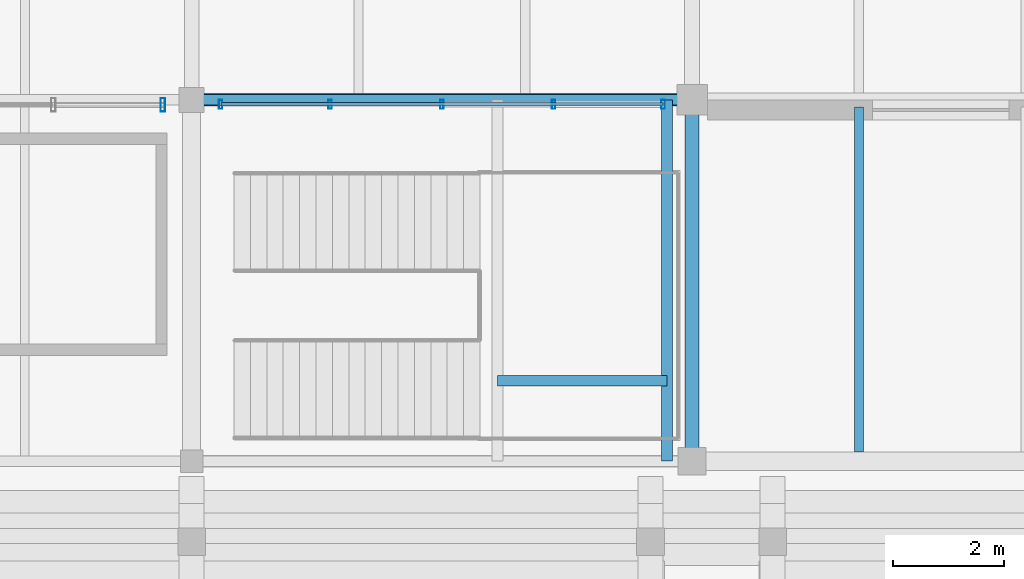
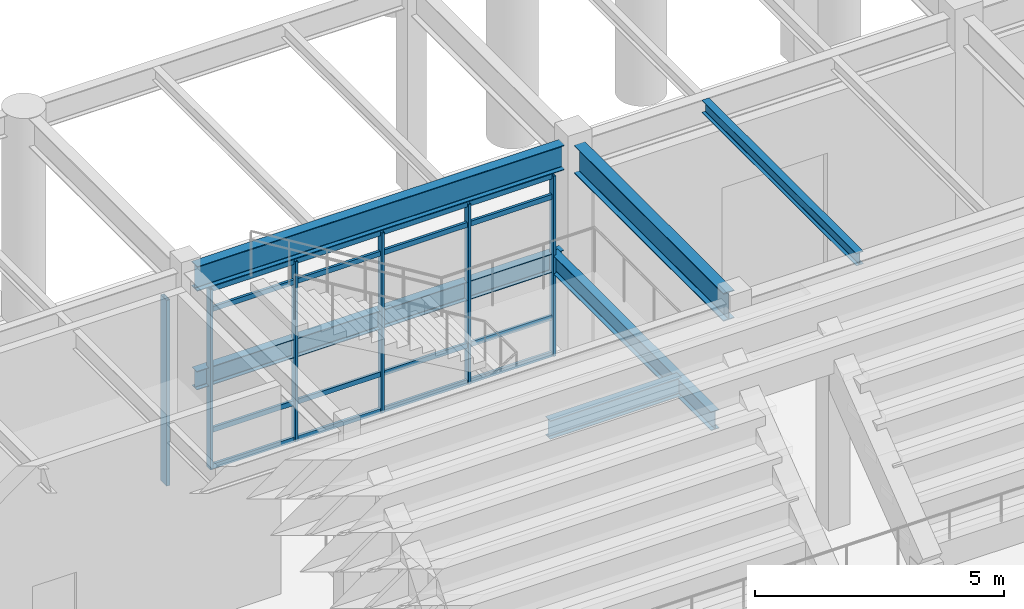
# One storey, part 71 of 203: 10 members, 6 beams, 2 elements without a shape of their own.
"""IFC4 building model written with IfcOpenShell, lengths in metres."""

from ifc_helpers import new_model, si_unit, direction, frame, origin, origin_2d, place, context, subcontext, project, spatial, hollow_rectangle, i_section, extrude, material, material_profile, profile_set, type_object, element, aggregate, save


model = new_model("IFC4")

# Units and contexts
model_context = context("Model", 3, precision=1e-05, world=origin(), true_north=direction((0.0, 1.0)))
body_context = subcontext(model_context, "Body", "Model", "MODEL_VIEW")
ifc_project = project(units=[si_unit("LENGTHUNIT", "METRE"), si_unit("AREAUNIT", "SQUARE_METRE"), si_unit("VOLUMEUNIT", "CUBIC_METRE"), si_unit("PLANEANGLEUNIT", "RADIAN"), si_unit("MASSUNIT", "GRAM", prefix="KILO"), si_unit("THERMODYNAMICTEMPERATUREUNIT", "KELVIN"), si_unit("POWERUNIT", "WATT")], contexts=[model_context])

# Site, building, storey
site_placement = place(None, origin())
site = spatial("IfcSite", under=ifc_project, at=site_placement, CompositionType="ELEMENT")
building_placement = place(site_placement, origin())
building = spatial("IfcBuilding", under=site, at=building_placement, Name="Tepalcoro Natatorium and Aquatics Centre", CompositionType="ELEMENT")
storey_placement = place(building_placement, origin())
storey = spatial("IfcBuildingStorey", under=building, at=storey_placement, Name="L00", CompositionType="ELEMENT", Elevation=0.0)

# Beams
ifc_material_1 = material(Name="Steel ASTM A992 Grade 50 (Fy 345 MPa)", Category="steel")
ifc_material_profile_1 = material_profile(ifc_material_1, i_section(OverallWidth=0.19091796875, OverallDepth=0.45703125, WebThickness=0.009033203125, FlangeThickness=0.013916015625, FilletRadius=0.013916015625, at=origin_2d()), Name="W18X50")
ifc_profile_set_1 = profile_set([ifc_material_profile_1], Name="Steel ASTM A992 Grade 50 (Fy 345 MPa)")
beam_type_1 = type_object("IfcBeamType", Name="BM_W18x50", PredefinedType="BEAM", material=ifc_profile_set_1)
beam_1_placement = place(storey_placement, frame((71.2099609375, 65.5, 2.271484375), z_axis=(1.0, 0.0, 0.0), x_axis=(0.0, 1.0, 0.0)))
element("IfcBeam", 1, at=beam_1_placement, inside=storey, type_object=beam_type_1, Name="Vomitory Stair Mid-Height Grid Header NW-N", PredefinedType="BEAM", context=body_context, shape_type="SweptSolid", body=[
    extrude(i_section(OverallWidth=0.19091796875, OverallDepth=0.45703125, WebThickness=0.009033203125, FlangeThickness=0.013916015625, FilletRadius=0.013916015625, at=origin_2d()), origin(), (0.0, 0.0, 1.0), 8.530029296875),
])
beam_2_placement = place(storey_placement, frame((79.550048828125, 59.001953125, 2.271484375), z_axis=(0.0, 1.0, 0.0), x_axis=(-1.0, 0.0, 0.0)))
element("IfcBeam", 2, at=beam_2_placement, inside=storey, type_object=beam_type_1, Name="Vomitory Half-Landing Trimmer Beam NW-E", PredefinedType="BEAM", context=body_context, shape_type="SweptSolid", body=[
    extrude(i_section(OverallWidth=0.19091796875, OverallDepth=0.45703125, WebThickness=0.009033203125, FlangeThickness=0.013916015625, FilletRadius=0.013916015625, at=origin_2d()), origin(), (0.0, 0.0, 1.0), 6.49609375),
])
beam_3_placement = place(storey_placement, frame((76.501953125, 60.449951171875, 2.271484375), z_axis=(1.0, 0.0, 0.0), x_axis=(0.0, 1.0, 0.0)))
element("IfcBeam", 3, at=beam_3_placement, inside=storey, type_object=beam_type_1, Name="Vomitory Half-Landing Cross-Beam NW-M", PredefinedType="BEAM", context=body_context, shape_type="SweptSolid", body=[
    extrude(i_section(OverallWidth=0.19091796875, OverallDepth=0.45703125, WebThickness=0.009033203125, FlangeThickness=0.013916015625, FilletRadius=0.013916015625, at=origin_2d()), origin(), (0.0, 0.0, 1.0), 3.046142578125),
])
ifc_material_profile_2 = material_profile(ifc_material_1, i_section(OverallWidth=0.22802734375, OverallDepth=0.60693359375, WebThickness=0.010986328125, FlangeThickness=0.01708984375, FilletRadius=0.013916015625, at=origin_2d()), Name="W24X76")
ifc_profile_set_2 = profile_set([ifc_material_profile_2], Name="Steel ASTM A992 Grade 50 (Fy 345 MPa)")
beam_type_2 = type_object("IfcBeamType", Name="BM_W24x76", PredefinedType="BEAM", material=ifc_profile_set_2)
beam_4_placement = place(storey_placement, frame((71.2099609375, 65.5, 4.781494140625), z_axis=(1.0, 0.0, 0.0), x_axis=(0.0, 1.0, 0.0)))
element("IfcBeam", 4, at=beam_4_placement, inside=storey, type_object=beam_type_2, Name="V1 L00 Grid Girder X", PredefinedType="BEAM", context=body_context, shape_type="SweptSolid", body=[
    extrude(i_section(OverallWidth=0.22802734375, OverallDepth=0.60693359375, WebThickness=0.010986328125, FlangeThickness=0.01708984375, FilletRadius=0.013916015625, at=origin_2d()), origin(), (0.0, 0.0, 1.0), 8.530029296875),
])
ifc_material_profile_3 = material_profile(ifc_material_1, i_section(OverallWidth=0.25390625, OverallDepth=0.68798828125, WebThickness=0.012939453125, FlangeThickness=0.02099609375, FilletRadius=0.013916015625, at=origin_2d()), Name="W27X102")
ifc_profile_set_3 = profile_set([ifc_material_profile_3], Name="Steel ASTM A992 Grade 50 (Fy 345 MPa)")
beam_type_3 = type_object("IfcBeamType", Name="BM_W27x102", PredefinedType="BEAM", material=ifc_profile_set_3)
beam_5_placement = place(storey_placement, frame((80.0, 59.235107421875, 4.781005859375), z_axis=(0.0, 1.0, 0.0), x_axis=(-1.0, 0.0, 0.0)))
element("IfcBeam", 5, at=beam_5_placement, inside=storey, type_object=beam_type_3, Name="V1 L00 Grid Girder Y", PredefinedType="BEAM", context=body_context, shape_type="SweptSolid", body=[
    extrude(i_section(OverallWidth=0.25390625, OverallDepth=0.68798828125, WebThickness=0.012939453125, FlangeThickness=0.02099609375, FilletRadius=0.013916015625, at=origin_2d()), origin(), (0.0, 0.0, 1.0), 6.0048828125),
])

# Curtain wall, members
ifc_material_2 = material(Name="Bronze-Anodised Extruded Aluminium Alloy EN AW-6063 T6", Category="aluminium")
curtain_wall_type_1 = type_object("IfcCurtainWallType", Name="CW_LEAN_T2_EW", PredefinedType="USERDEFINED", material=ifc_material_2)
curtain_wall_1_placement = place(storey_placement, origin())
curtain_wall_1 = element("IfcCurtainWall", 6, at=curtain_wall_1_placement, inside=storey, type_object=curtain_wall_type_1, Name="V1 L00 N Unitised Curtain Wall Bay 4", ObjectType="FACETED SOLAR GLAZING", PredefinedType="USERDEFINED")
ifc_material_profile_4 = material_profile(ifc_material_2, hollow_rectangle(XDim=0.06005859375, YDim=0.159912109375, WallThickness=0.00390625, at=origin_2d()), Name="AL60X160X4")
ifc_profile_set_4 = profile_set([ifc_material_profile_4], Name="Bronze-Anodised Extruded Aluminium Alloy EN AW-6063 T6")
member_type_1 = type_object("IfcMemberType", Name="CW_MUL_60x160", PredefinedType="MULLION", material=ifc_profile_set_4)
member_1_placement = place(storey_placement, frame((71.52001953125, 65.419921875, 0.02001953125), z_axis=(0.0, 0.0, 1.0), x_axis=(1.0, 0.0, 0.0)))
member_1 = element("IfcMember", 7, at=member_1_placement, type_object=member_type_1, Name="CW_LEAN_T2_EW Curtain Wall Mullion", PredefinedType="MULLION", context=body_context, shape_type="SweptSolid", body=[
    extrude(hollow_rectangle(XDim=0.06005859375, YDim=0.159912109375, WallThickness=0.00390625, at=origin_2d()), origin(), (0.0, 0.0, 1.0), 4.423095703125),
])
member_2_placement = place(storey_placement, frame((73.489990234375, 65.419921875, 0.02001953125), z_axis=(0.0, 0.0, 1.0), x_axis=(1.0, 0.0, 0.0)))
member_2 = element("IfcMember", 8, at=member_2_placement, type_object=member_type_1, Name="CW_LEAN_T2_EW Curtain Wall Mullion", PredefinedType="MULLION", context=body_context, shape_type="SweptSolid", body=[
    extrude(hollow_rectangle(XDim=0.06005859375, YDim=0.159912109375, WallThickness=0.00390625, at=origin_2d()), origin(), (0.0, 0.0, 1.0), 4.423095703125),
])
member_3_placement = place(storey_placement, frame((75.5, 65.419921875, 0.02001953125), z_axis=(0.0, 0.0, 1.0), x_axis=(1.0, 0.0, 0.0)))
member_3 = element("IfcMember", 9, at=member_3_placement, type_object=member_type_1, Name="CW_LEAN_T2_EW Curtain Wall Mullion", PredefinedType="MULLION", context=body_context, shape_type="SweptSolid", body=[
    extrude(hollow_rectangle(XDim=0.06005859375, YDim=0.159912109375, WallThickness=0.00390625, at=origin_2d()), origin(), (0.0, 0.0, 1.0), 4.423095703125),
])
member_4_placement = place(storey_placement, frame((77.510009765625, 65.419921875, 0.02001953125), z_axis=(0.0, 0.0, 1.0), x_axis=(1.0, 0.0, 0.0)))
member_4 = element("IfcMember", 10, at=member_4_placement, type_object=member_type_1, Name="CW_LEAN_T2_EW Curtain Wall Mullion", PredefinedType="MULLION", context=body_context, shape_type="SweptSolid", body=[
    extrude(hollow_rectangle(XDim=0.06005859375, YDim=0.159912109375, WallThickness=0.00390625, at=origin_2d()), origin(), (0.0, 0.0, 1.0), 4.423095703125),
])
member_5_placement = place(storey_placement, frame((79.47998046875, 65.419921875, 0.02001953125), z_axis=(0.0, 0.0, 1.0), x_axis=(1.0, 0.0, 0.0)))
member_5 = element("IfcMember", 11, at=member_5_placement, type_object=member_type_1, Name="CW_LEAN_T2_EW Curtain Wall Mullion", PredefinedType="MULLION", context=body_context, shape_type="SweptSolid", body=[
    extrude(hollow_rectangle(XDim=0.06005859375, YDim=0.159912109375, WallThickness=0.00390625, at=origin_2d()), origin(), (0.0, 0.0, 1.0), 4.423095703125),
])

# Curtain wall, member
curtain_wall_type_2 = type_object("IfcCurtainWallType", Name="CW_LEAN_T2_NS", PredefinedType="USERDEFINED", material=ifc_material_2)
curtain_wall_2_placement = place(storey_placement, origin())
curtain_wall_2 = element("IfcCurtainWall", 12, at=curtain_wall_2_placement, inside=storey, type_object=curtain_wall_type_2, Name="V1 L00 N Unitised Curtain Wall Bay 3", ObjectType="FACETED SOLAR GLAZING", PredefinedType="USERDEFINED")
ifc_material_profile_5 = material_profile(ifc_material_2, hollow_rectangle(XDim=0.080078125, YDim=0.239990234375, WallThickness=0.0048828125, at=origin_2d()), Name="AL80X240X5")
ifc_profile_set_5 = profile_set([ifc_material_profile_5], Name="Bronze-Anodised Extruded Aluminium Alloy EN AW-6063 T6")
member_type_2 = type_object("IfcMemberType", Name="CW_MUL_80x240", PredefinedType="MULLION", material=ifc_profile_set_5)
member_6_placement = place(storey_placement, frame((70.47998046875, 65.409912109375, 0.02001953125), z_axis=(0.0, 0.0, 1.0), x_axis=(1.0, 0.0, 0.0)))
member_6 = element("IfcMember", 13, at=member_6_placement, type_object=member_type_2, Name="CW_LEAN_T2_NS Curtain Wall Mullion", PredefinedType="MULLION", context=body_context, shape_type="SweptSolid", body=[
    extrude(hollow_rectangle(XDim=0.080078125, YDim=0.239990234375, WallThickness=0.0048828125, at=origin_2d()), origin(), (0.0, 0.0, 1.0), 4.56298828125),
])
aggregate(curtain_wall_2, [member_6])

# Member
ifc_material_profile_6 = material_profile(ifc_material_2, hollow_rectangle(XDim=0.06005859375, YDim=0.1201171875, WallThickness=0.00390625, at=origin_2d()), Name="AL60X120X4")
ifc_profile_set_6 = profile_set([ifc_material_profile_6], Name="Bronze-Anodised Extruded Aluminium Alloy EN AW-6063 T6")
member_type_3 = type_object("IfcMemberType", Name="CW_TRN_60x120", PredefinedType="USERDEFINED", material=ifc_profile_set_6)
member_7_placement = place(storey_placement, frame((71.530029296875, 65.419921875, 0.050048828125), z_axis=(1.0, 0.0, 0.0), x_axis=(0.0, 1.0, 0.0)))
member_7 = element("IfcMember", 14, at=member_7_placement, type_object=member_type_3, Name="CW_LEAN_T2_EW Curtain Wall Transom", ObjectType="TRANSOM", PredefinedType="USERDEFINED", context=body_context, shape_type="SweptSolid", body=[
    extrude(hollow_rectangle(XDim=0.06005859375, YDim=0.1201171875, WallThickness=0.00390625, at=origin_2d()), origin(), (0.0, 0.0, 1.0), 7.93994140625),
])

member_8_placement = place(storey_placement, frame((71.530029296875, 65.419921875, 0.949951171875), z_axis=(1.0, 0.0, 0.0), x_axis=(0.0, 1.0, 0.0)))
member_8 = element("IfcMember", 15, at=member_8_placement, type_object=member_type_3, Name="CW_LEAN_T2_EW Curtain Wall Transom", ObjectType="TRANSOM", PredefinedType="USERDEFINED", context=body_context, shape_type="SweptSolid", body=[
    extrude(hollow_rectangle(XDim=0.06005859375, YDim=0.1201171875, WallThickness=0.00390625, at=origin_2d()), origin(), (0.0, 0.0, 1.0), 7.93994140625),
])

member_9_placement = place(storey_placement, frame((71.530029296875, 65.419921875, 3.9130859375), z_axis=(1.0, 0.0, 0.0), x_axis=(0.0, 1.0, 0.0)))
member_9 = element("IfcMember", 16, at=member_9_placement, type_object=member_type_3, Name="CW_LEAN_T2_EW Curtain Wall Transom", ObjectType="TRANSOM", PredefinedType="USERDEFINED", context=body_context, shape_type="SweptSolid", body=[
    extrude(hollow_rectangle(XDim=0.06005859375, YDim=0.1201171875, WallThickness=0.00390625, at=origin_2d()), origin(), (0.0, 0.0, 1.0), 7.93994140625),
])

member_10_placement = place(storey_placement, frame((71.530029296875, 65.419921875, 4.4130859375), z_axis=(1.0, 0.0, 0.0), x_axis=(0.0, 1.0, 0.0)))
member_10 = element("IfcMember", 17, at=member_10_placement, type_object=member_type_3, Name="CW_LEAN_T2_EW Curtain Wall Transom", ObjectType="TRANSOM", PredefinedType="USERDEFINED", context=body_context, shape_type="SweptSolid", body=[
    extrude(hollow_rectangle(XDim=0.06005859375, YDim=0.1201171875, WallThickness=0.00390625, at=origin_2d()), origin(), (0.0, 0.0, 1.0), 7.93994140625),
])

aggregate(curtain_wall_1, [member_1, member_2, member_3, member_4, member_5, member_7, member_8, member_9, member_10])

# Beam
ifc_material_profile_7 = material_profile(ifc_material_1, i_section(OverallWidth=0.1650390625, OverallDepth=0.31005859375, WebThickness=0.006103515625, FlangeThickness=0.010009765625, FilletRadius=0.013916015625, at=origin_2d()), Name="W12X26")
ifc_profile_set_7 = profile_set([ifc_material_profile_7], Name="Steel ASTM A992 Grade 50 (Fy 345 MPa)")
beam_type_4 = type_object("IfcBeamType", Name="JS_W12x26", PredefinedType="JOIST", material=ifc_profile_set_7)
beam_6_placement = place(storey_placement, frame((83.0, 59.16259765625, 4.929931640625), z_axis=(0.0, 1.0, 0.0), x_axis=(-1.0, 0.0, 0.0)))
element("IfcBeam", 18, at=beam_6_placement, inside=storey, type_object=beam_type_4, Name="V1 L00 Floor Joist", PredefinedType="JOIST", context=body_context, shape_type="SweptSolid", body=[
    extrude(i_section(OverallWidth=0.1650390625, OverallDepth=0.31005859375, WebThickness=0.006103515625, FlangeThickness=0.010009765625, FilletRadius=0.013916015625, at=origin_2d()), origin(), (0.0, 0.0, 1.0), 6.21044921875),
])

save(model, "model.ifc")
